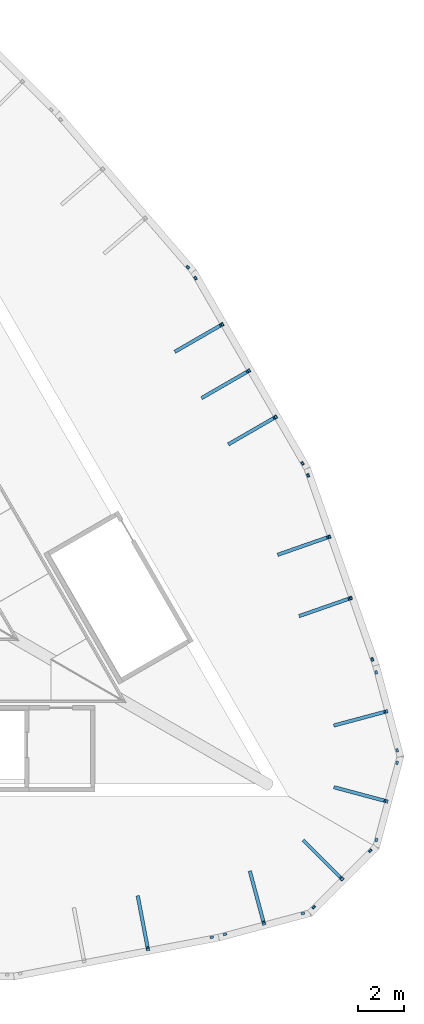
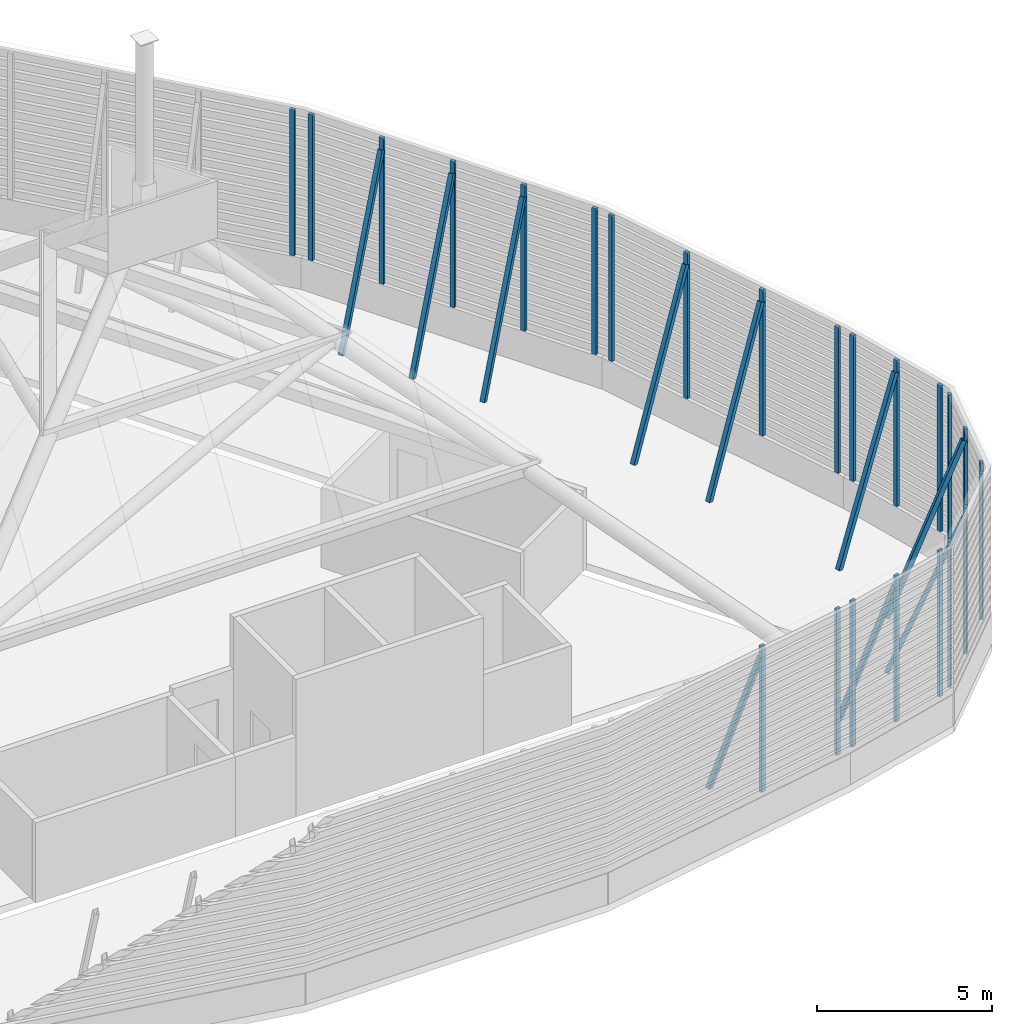
# One storey, part 4 of 6: 34 discrete accessories.
"""IFC4 building model written with IfcOpenShell, lengths in metres."""

from ifc_helpers import new_model, si_unit, direction, frame, frame_2d, origin, origin_2d, place, context, subcontext, project, spatial, rectangle, hollow_rectangle, extrude, material, material_profile, profile_set, type_object, element, save


model = new_model("IFC4")

# Units and contexts
model_context = context("Model", 3, precision=1e-05, world=origin(), true_north=direction((0.0, 1.0)))
body_context = subcontext(model_context, "Body", "Model", "MODEL_VIEW")
ifc_project = project(units=[si_unit("LENGTHUNIT", "METRE"), si_unit("AREAUNIT", "SQUARE_METRE"), si_unit("VOLUMEUNIT", "CUBIC_METRE"), si_unit("PLANEANGLEUNIT", "RADIAN"), si_unit("MASSUNIT", "GRAM", prefix="KILO")], contexts=[model_context])

# Site, building, storey
site_placement = place(None, origin())
site = spatial("IfcSite", under=ifc_project, at=site_placement, CompositionType="ELEMENT")
building_placement = place(site_placement, origin())
building = spatial("IfcBuilding", under=site, at=building_placement, Name="Trikona Tower", CompositionType="ELEMENT")
storey_placement = place(building_placement, frame((0.0, 0.0, 303.800048828125)))
storey = spatial("IfcBuildingStorey", under=building, at=storey_placement, Name="RF", CompositionType="ELEMENT", Elevation=303.800048828125)

# Discrete accessories
ifc_material_1 = material(Name="Aluminium extrusion, pale anodised", Category="aluminium")
discrete_accessory_type_1 = type_object("IfcDiscreteAccessoryType", Name="Crown screen rail 150x100", PredefinedType="BRACKET", material=ifc_material_1)
for number, where, z_axis, x_axis, name in (
    (1, (12.560302734375, 13.419189453125, 1.099853515625), (0.0, 0.0, 1.0), (0.652263649461, -0.757992171194, 0.0), "Crown screen rail 11-4"),
    (2, (12.909912109375, 12.950927734375, 1.099853515625), (0.0, 0.0, 1.0), (0.501036270542, -0.865426285481, 0.0), "Crown screen rail 12-1"),
    (3, (14.081298828125, 10.921875, 1.099853515625), (0.0, 0.0, 1.0), (0.501036270542, -0.865426285481, 0.0), "Crown screen rail 12-2"),
):
    element("IfcDiscreteAccessory", number, at=place(storey_placement, frame(where, z_axis=z_axis, x_axis=x_axis)), inside=storey, type_object=discrete_accessory_type_1, Name=name, PredefinedType="BRACKET", context=body_context, shape_type="SweptSolid", body=[
        extrude(rectangle(XDim=0.150146484375, YDim=0.10009765625, at=frame_2d((0.0751953125, 0.0))), origin(), (0.0, 0.0, 1.0), 5.10009765625),
    ])
for number, where, z_axis, x_axis, name in (
    (4, (15.2529296875, 8.892822265625, 1.099853515625), (0.0, 0.0, 1.0), (0.499816412211, -0.866131372301, 0.0), "Crown screen rail 12-3"),
    (5, (16.42431640625, 6.86376953125, 1.099853515625), (0.0, 0.0, 1.0), (0.499816412211, -0.866131372301, 0.0), "Crown screen rail 12-4"),
):
    element("IfcDiscreteAccessory", number, at=place(storey_placement, frame(where, z_axis=z_axis, x_axis=x_axis)), inside=storey, type_object=discrete_accessory_type_1, Name=name, PredefinedType="BRACKET", context=body_context, shape_type="SweptSolid", body=[
        extrude(rectangle(XDim=0.14990234375, YDim=0.10009765625, at=frame_2d((0.074951171875, 0.0))), origin(), (0.0, 0.0, 1.0), 5.10009765625),
    ])
discrete_accessory_1_placement = place(storey_placement, frame((17.595703125, 4.834716796875, 1.099853515625), z_axis=(0.0, 0.0, 1.0), x_axis=(0.501036270542, -0.865426285481, 0.0)))
element("IfcDiscreteAccessory", 6, at=discrete_accessory_1_placement, inside=storey, type_object=discrete_accessory_type_1, Name="Crown screen rail 12-5", PredefinedType="BRACKET", context=body_context, shape_type="SweptSolid", body=[
    extrude(rectangle(XDim=0.150146484375, YDim=0.10009765625, at=frame_2d((0.0751953125, 0.0))), origin(), (0.0, 0.0, 1.0), 5.10009765625),
])
for number, where, z_axis, x_axis, name in (
    (7, (17.85205078125, 4.3095703125, 1.099853515625), (0.0, 0.0, 1.0), (0.328899508663, -0.944364925864, 0.0), "Crown screen rail 13-1"),
    (8, (18.790283203125, 1.621337890625, 1.099853515625), (0.0, 0.0, 1.0), (0.328899508663, -0.944364925864, 0.0), "Crown screen rail 13-2"),
    (9, (19.728515625, -1.066650390625, 1.099853515625), (0.0, 0.0, 1.0), (0.330350424728, -0.943858356366, 0.0), "Crown screen rail 13-3"),
    (10, (20.666748046875, -3.754638671875, 1.099853515625), (0.0, 0.0, 1.0), (0.330350424728, -0.943858356366, 0.0), "Crown screen rail 13-4"),
    (11, (20.84716796875, -4.3212890625, 1.099853515625), (0.0, 0.0, 1.0), (0.258980325321, -0.965882596953, 0.0), "Crown screen rail 14-1"),
    (12, (21.304931640625, -6.030029296875, 1.099853515625), (0.0, 0.0, 1.0), (0.258980325321, -0.965882596953, 0.0), "Crown screen rail 14-2"),
):
    element("IfcDiscreteAccessory", number, at=place(storey_placement, frame(where, z_axis=z_axis, x_axis=x_axis)), inside=storey, type_object=discrete_accessory_type_1, Name=name, PredefinedType="BRACKET", context=body_context, shape_type="SweptSolid", body=[
        extrude(rectangle(XDim=0.14990234375, YDim=0.10009765625, at=frame_2d((0.074951171875, 0.0))), origin(), (0.0, 0.0, 1.0), 5.10009765625),
    ])
for number, where, z_axis, x_axis, name in (
    (13, (21.762939453125, -7.73876953125, 1.099853515625), (0.0, 0.0, 1.0), (0.258573505099, -0.965991585088, 0.0), "Crown screen rail 14-3"),
    (14, (21.8017578125, -8.281982421875, 1.099853515625), (0.0, 0.0, 1.0), (-0.258573505099, -0.965991585088, 0.0), "Crown screen rail 15-1"),
):
    element("IfcDiscreteAccessory", number, at=place(storey_placement, frame(where, z_axis=z_axis, x_axis=x_axis)), inside=storey, type_object=discrete_accessory_type_1, Name=name, PredefinedType="BRACKET", context=body_context, shape_type="SweptSolid", body=[
        extrude(rectangle(XDim=0.150146484375, YDim=0.10009765625, at=frame_2d((0.0751953125, 0.0))), origin(), (0.0, 0.0, 1.0), 5.10009765625),
    ])
for number, where, z_axis, x_axis, name in (
    (15, (21.348388671875, -9.974365234375, 1.099853515625), (0.0, 0.0, 1.0), (-0.258980325321, -0.965882596953, 0.0), "Crown screen rail 15-2"),
    (16, (20.89501953125, -11.66650390625, 1.099853515625), (0.0, 0.0, 1.0), (-0.258980325321, -0.965882596953, 0.0), "Crown screen rail 15-3"),
    (17, (20.656982421875, -12.156494140625, 1.099853515625), (0.0, 0.0, 1.0), (-0.70792001417, -0.706292611839, 0.0), "Crown screen rail 16-1"),
    (18, (19.418212890625, -13.39501953125, 1.099853515625), (0.0, 0.0, 1.0), (-0.706292611839, -0.70792001417, 0.0), "Crown screen rail 16-2"),
    (19, (18.1796875, -14.6337890625, 1.099853515625), (0.0, 0.0, 1.0), (-0.70792001417, -0.706292611839, 0.0), "Crown screen rail 16-3"),
):
    element("IfcDiscreteAccessory", number, at=place(storey_placement, frame(where, z_axis=z_axis, x_axis=x_axis)), inside=storey, type_object=discrete_accessory_type_1, Name=name, PredefinedType="BRACKET", context=body_context, shape_type="SweptSolid", body=[
        extrude(rectangle(XDim=0.14990234375, YDim=0.10009765625, at=frame_2d((0.074951171875, 0.0))), origin(), (0.0, 0.0, 1.0), 5.10009765625),
    ])
for number, where, z_axis, x_axis, name in (
    (20, (17.728515625, -14.93896484375, 1.099853515625), (0.0, 0.0, 1.0), (-0.965991585088, -0.258573505099, 0.0), "Crown screen rail 17-1"),
    (21, (16.01953125, -15.39697265625, 1.099853515625), (0.0, 0.0, 1.0), (-0.965991585088, -0.258573505099, 0.0), "Crown screen rail 17-2"),
):
    element("IfcDiscreteAccessory", number, at=place(storey_placement, frame(where, z_axis=z_axis, x_axis=x_axis)), inside=storey, type_object=discrete_accessory_type_1, Name=name, PredefinedType="BRACKET", context=body_context, shape_type="SweptSolid", body=[
        extrude(rectangle(XDim=0.150146484375, YDim=0.10009765625, at=frame_2d((0.0751953125, 0.0))), origin(), (0.0, 0.0, 1.0), 5.10009765625),
    ])
discrete_accessory_2_placement = place(storey_placement, frame((14.310546875, -15.854736328125, 1.099853515625), z_axis=(0.0, 0.0, 1.0), x_axis=(-0.965474137671, -0.260498924161, 0.0)))
element("IfcDiscreteAccessory", 22, at=discrete_accessory_2_placement, inside=storey, type_object=discrete_accessory_type_1, Name="Crown screen rail 17-3", PredefinedType="BRACKET", context=body_context, shape_type="SweptSolid", body=[
    extrude(rectangle(XDim=0.14990234375, YDim=0.10009765625, at=frame_2d((0.074951171875, 0.0))), origin(), (0.0, 0.0, 1.0), 5.10009765625),
])
discrete_accessory_3_placement = place(storey_placement, frame((13.732421875, -15.99267578125, 1.099853515625), z_axis=(0.0, 0.0, 1.0), x_axis=(-0.982352799132, -0.187037370696, 0.0)))
element("IfcDiscreteAccessory", 23, at=discrete_accessory_3_placement, inside=storey, type_object=discrete_accessory_type_1, Name="Crown screen rail 18-1", PredefinedType="BRACKET", context=body_context, shape_type="SweptSolid", body=[
    extrude(rectangle(XDim=0.150146484375, YDim=0.10009765625, at=frame_2d((0.0751953125, 0.0))), origin(), (0.0, 0.0, 1.0), 5.10009765625),
])
discrete_accessory_4_placement = place(storey_placement, frame((10.935302734375, -16.524169921875, 1.099853515625), z_axis=(0.0, 0.0, 1.0), x_axis=(-0.982295765755, -0.187336671744, 0.0)))
element("IfcDiscreteAccessory", 24, at=discrete_accessory_4_placement, inside=storey, type_object=discrete_accessory_type_1, Name="Crown screen rail 18-2", PredefinedType="BRACKET", context=body_context, shape_type="SweptSolid", body=[
    extrude(rectangle(XDim=0.14990234375, YDim=0.10009765625, at=frame_2d((0.074951171875, 0.0))), origin(), (0.0, 0.0, 1.0), 5.10009765625),
])
ifc_material_2 = material(Name="Steel ASTM A500 Grade C", Category="steel")
ifc_material_profile = material_profile(ifc_material_2, hollow_rectangle(XDim=0.15234375, YDim=0.15234375, WallThickness=0.0087890625, at=origin_2d()), Name="HSS6X6X3/8")
ifc_profile_set = profile_set([ifc_material_profile], Name="Steel ASTM A500 Grade C")
discrete_accessory_type_2 = type_object("IfcDiscreteAccessoryType", Name="Crown screen stay HSS6x6x3/8", PredefinedType="BRACKET", material=ifc_profile_set)
for number, where, z_axis, x_axis, name in (
    (25, (12.10107421875, 9.69189453125, 0.0), (0.316845216099, 0.182906814289, 0.930674060196), (-0.499951092774, 0.866053638543, 0.0), "Crown screen stay 12-2"),
    (26, (13.2724609375, 7.662841796875, 0.0), (0.316842945581, 0.182944678025, 0.930667390971), (-0.50003140069, 0.866007273829, 0.0), "Crown screen stay 12-3"),
    (27, (14.444091796875, 5.6337890625, 0.0), (0.316807703178, 0.182946948663, 0.930678942054), (-0.500077770228, 0.865980498466, 0.0), "Crown screen stay 12-4"),
    (28, (16.614990234375, 0.78271484375, 0.0), (0.345438553679, 0.120578347496, 0.930662703533), (-0.329558617352, 0.944135116246, 0.0), "Crown screen stay 13-2"),
    (29, (17.553466796875, -1.9052734375, 0.0), (0.345404053304, 0.120579979139, 0.930675297078), (-0.329591934829, 0.94412348583, 0.0), "Crown screen stay 13-3"),
    (30, (19.07373046875, -6.70556640625, 0.0), (0.353393876548, 0.094684957279, 0.930670471694), (-0.258802095022, 0.96593036789, 0.0), "Crown screen stay 14-2"),
):
    element("IfcDiscreteAccessory", number, at=place(storey_placement, frame(where, z_axis=z_axis, x_axis=x_axis)), inside=storey, type_object=discrete_accessory_type_2, Name=name, PredefinedType="BRACKET", context=body_context, shape_type="SweptSolid", body=[
        extrude(hollow_rectangle(XDim=0.15234375, YDim=0.15234375, WallThickness=0.0087890625, at=origin_2d()), origin(), (0.0, 0.0, 1.0), 6.232177734375),
    ])
discrete_accessory_5_placement = place(storey_placement, frame((19.078369140625, -9.443603515625, 0.0), z_axis=(0.353359593662, -0.094686268058, 0.930683355502), x_axis=(0.258828865002, 0.965923195001, 0.0)))
element("IfcDiscreteAccessory", 31, at=discrete_accessory_5_placement, inside=storey, type_object=discrete_accessory_type_2, Name="Crown screen stay 15-2", PredefinedType="BRACKET", context=body_context, shape_type="SweptSolid", body=[
    extrude(hollow_rectangle(XDim=0.15234375, YDim=0.15234375, WallThickness=0.0087890625, at=origin_2d()), origin(), (0.0, 0.0, 1.0), 6.23193359375),
])
discrete_accessory_6_placement = place(storey_placement, frame((17.717529296875, -11.800537109375, 0.0), z_axis=(0.258710488532, -0.258671313716, 0.930676116908), x_axis=(0.707053238857, 0.707160319462, 0.0)))
element("IfcDiscreteAccessory", 32, at=discrete_accessory_6_placement, inside=storey, type_object=discrete_accessory_type_2, Name="Crown screen stay 16-2", PredefinedType="BRACKET", context=body_context, shape_type="SweptSolid", body=[
    extrude(hollow_rectangle(XDim=0.15234375, YDim=0.15234375, WallThickness=0.0087890625, at=origin_2d()), origin(), (0.0, 0.0, 1.0), 6.232177734375),
])
discrete_accessory_7_placement = place(storey_placement, frame((15.343994140625, -13.165771484375, 0.0), z_axis=(0.094686268058, -0.353359593662, 0.930683355502), x_axis=(0.965923195001, 0.258828865002, 0.0)))
element("IfcDiscreteAccessory", 33, at=discrete_accessory_7_placement, inside=storey, type_object=discrete_accessory_type_2, Name="Crown screen stay 17-2", PredefinedType="BRACKET", context=body_context, shape_type="SweptSolid", body=[
    extrude(hollow_rectangle(XDim=0.15234375, YDim=0.15234375, WallThickness=0.0087890625, at=origin_2d()), origin(), (0.0, 0.0, 1.0), 6.23193359375),
])
discrete_accessory_8_placement = place(storey_placement, frame((10.4267578125, -14.2490234375, 0.0), z_axis=(0.068281377843, -0.359427218424, 0.930671654288), x_axis=(0.982429360296, 0.186634809264, 0.0)))
element("IfcDiscreteAccessory", 34, at=discrete_accessory_8_placement, inside=storey, type_object=discrete_accessory_type_2, Name="Crown screen stay 18-2", PredefinedType="BRACKET", context=body_context, shape_type="SweptSolid", body=[
    extrude(hollow_rectangle(XDim=0.15234375, YDim=0.15234375, WallThickness=0.0087890625, at=origin_2d()), origin(), (0.0, 0.0, 1.0), 6.232177734375),
])

save(model, "model.ifc")
